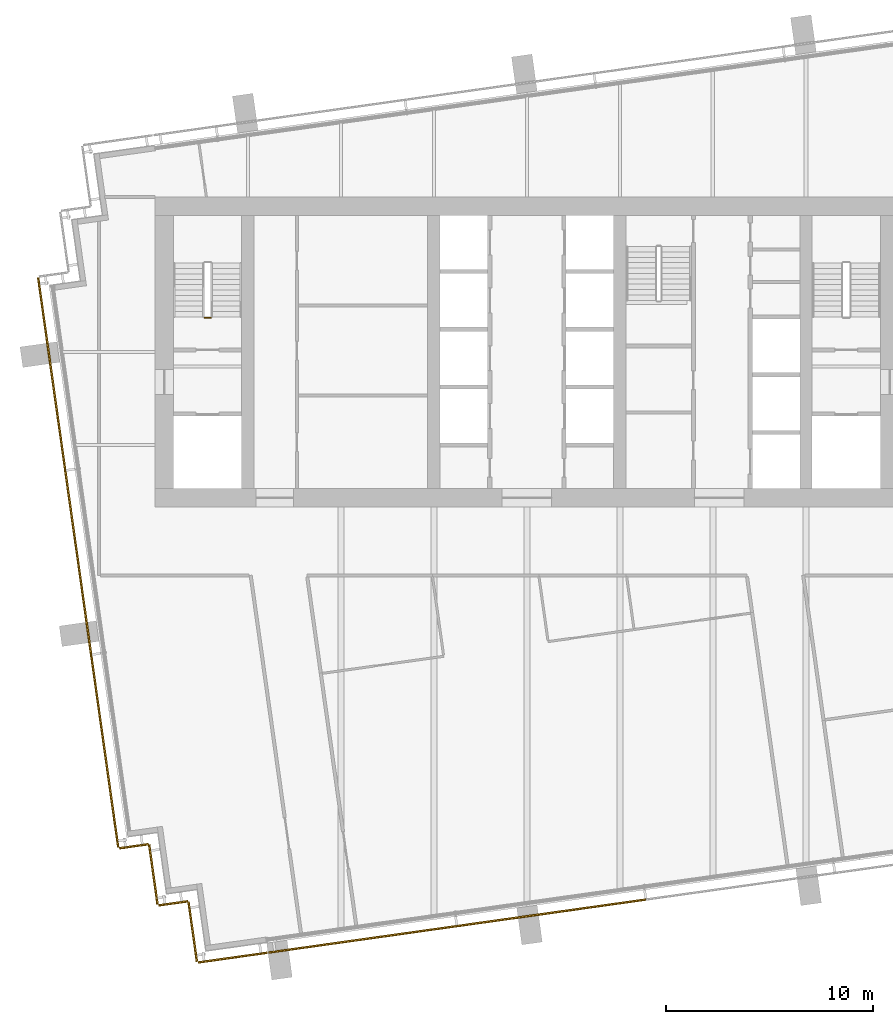
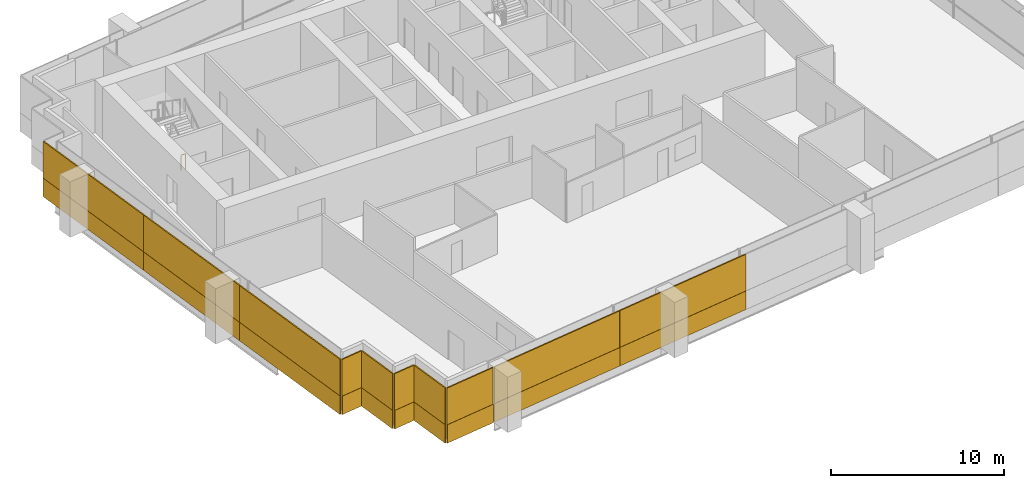
# One storey, part 13 of 17: 20 coverings, 1 railing.
"""IFC4 building model written with IfcOpenShell, lengths in metres."""

from ifc_helpers import new_model, si_unit, direction, frame, origin, origin_2d, place, context, subcontext, project, spatial, rectangle, extrude, material, layer, layer_set, type_object, element, save


model = new_model("IFC4")

# Units and contexts
model_context = context("Model", 3, precision=1e-05, world=origin(), true_north=direction((0.0, 1.0)))
body_context = subcontext(model_context, "Body", "Model", "MODEL_VIEW")
ifc_project = project(units=[si_unit("LENGTHUNIT", "METRE"), si_unit("AREAUNIT", "SQUARE_METRE"), si_unit("VOLUMEUNIT", "CUBIC_METRE"), si_unit("PLANEANGLEUNIT", "RADIAN"), si_unit("MASSUNIT", "GRAM", prefix="KILO")], contexts=[model_context])

# Site, building, storey
site_placement = place(None, origin())
site = spatial("IfcSite", under=ifc_project, at=site_placement, CompositionType="ELEMENT")
building_placement = place(site_placement, origin())
building = spatial("IfcBuilding", under=site, at=building_placement, Name="Rattan Terrace Tower", CompositionType="ELEMENT")
storey_placement = place(building_placement, frame((0.0, 0.0, 221.300048828125)))
storey = spatial("IfcBuildingStorey", under=building, at=storey_placement, Name="L50", CompositionType="ELEMENT", Elevation=221.300048828125)

# Railing
ifc_material_1 = material(Name="Powder-coated steel guard", Category="steel")
railing_type = type_object("IfcRailingType", Name="Core stair guard", PredefinedType="GUARDRAIL", material=ifc_material_1)
railing_placement = place(storey_placement, frame((-15.300048828125, 1.64990234375, 0.0)))
element("IfcRailing", 1, at=railing_placement, inside=storey, type_object=railing_type, Name="L50 S1 stair guard 4", PredefinedType="GUARDRAIL", context=body_context, shape_type="SweptSolid", body=[
    extrude(rectangle(XDim=0.048095703125, YDim=0.048095703125, at=origin_2d()), frame((0.0, 0.0, 1.076171875), z_axis=(-1.0, 0.0, 0.0), x_axis=(0.0, -1.0, 0.0)), (0.0, 0.0, 1.0), 0.300048828125),
    extrude(rectangle(XDim=0.0419921875, YDim=0.0419921875, at=origin_2d()), origin(), (0.0, 0.0, 1.0), 1.052001953125),
    extrude(rectangle(XDim=0.0419921875, YDim=0.0419921875, at=origin_2d()), frame((-0.300048828125, 0.0, 0.0)), (0.0, 0.0, 1.0), 1.052001953125),
])

# Coverings
ifc_material_2 = material(Name="Solid terracotta", Category="masonry")
ifc_layer_1 = layer(ifc_material_2, 0.090087890625)
ifc_layer_set_1 = layer_set([ifc_layer_1], Name="Facade Terracotta Band Panel HZ")
covering_type_1 = type_object("IfcCoveringType", Name="Facade Terracotta Band Panel HZ", PredefinedType="CLADDING", material=ifc_layer_set_1)
covering_1_placement = place(storey_placement, frame((-22.9892578125, -1.06298828125, -0.18994140625), z_axis=(0.0, 0.0, 1.0), x_axis=(0.139186165309, -0.990266232579, 0.0)))
element("IfcCovering", 2, at=covering_1_placement, inside=storey, type_object=covering_type_1, Name="OUTER SKIN panel L50-24A", PredefinedType="CLADDING", context=body_context, shape_type="SweptSolid", body=[
    extrude(rectangle(XDim=9.39990234375, YDim=0.090087890625, at=origin_2d()), origin(), (0.0, 0.0, 1.0), 1.300048828125),
])
covering_2_placement = place(storey_placement, frame((-21.70751953125, -10.183349609375, -0.18994140625), z_axis=(0.0, 0.0, 1.0), x_axis=(0.139186165309, -0.990266232579, 0.0)))
element("IfcCovering", 3, at=covering_2_placement, inside=storey, type_object=covering_type_1, Name="OUTER SKIN panel L50-25A", PredefinedType="CLADDING", context=body_context, shape_type="SweptSolid", body=[
    extrude(rectangle(XDim=8.97998046875, YDim=0.090087890625, at=origin_2d()), origin(), (0.0, 0.0, 1.0), 1.300048828125),
])
covering_3_placement = place(storey_placement, frame((-20.425537109375, -19.3037109375, -0.18994140625), z_axis=(0.0, 0.0, 1.0), x_axis=(0.139186165309, -0.990266232579, 0.0)))
element("IfcCovering", 4, at=covering_3_placement, inside=storey, type_object=covering_type_1, Name="OUTER SKIN panel L50-26A", PredefinedType="CLADDING", context=body_context, shape_type="SweptSolid", body=[
    extrude(rectangle(XDim=9.39990234375, YDim=0.090087890625, at=origin_2d()), origin(), (0.0, 0.0, 1.0), 1.300048828125),
])
covering_4_placement = place(storey_placement, frame((-19.00634765625, -23.90576171875, -0.18994140625), z_axis=(0.0, 0.0, 1.0), x_axis=(0.990240767803, 0.139367219175, 0.0)))
element("IfcCovering", 5, at=covering_4_placement, inside=storey, type_object=covering_type_1, Name="OUTER SKIN panel L50-27A", PredefinedType="CLADDING", context=body_context, shape_type="SweptSolid", body=[
    extrude(rectangle(XDim=1.419677734375, YDim=0.090087890625, at=origin_2d()), origin(), (0.0, 0.0, 1.0), 1.300048828125),
])
covering_5_placement = place(storey_placement, frame((-18.07177734375, -25.27392578125, -0.18994140625), z_axis=(0.0, 0.0, 1.0), x_axis=(0.139321220646, -0.990247240581, 0.0)))
element("IfcCovering", 6, at=covering_5_placement, inside=storey, type_object=covering_type_1, Name="OUTER SKIN panel L50-28A", PredefinedType="CLADDING", context=body_context, shape_type="SweptSolid", body=[
    extrude(rectangle(XDim=2.920166015625, YDim=0.090087890625, at=origin_2d()), origin(), (0.0, 0.0, 1.0), 1.300048828125),
])
covering_6_placement = place(storey_placement, frame((-17.103271484375, -26.667724609375, -0.18994140625), z_axis=(0.0, 0.0, 1.0), x_axis=(0.990240767803, 0.139367219175, 0.0)))
element("IfcCovering", 7, at=covering_6_placement, inside=storey, type_object=covering_type_1, Name="OUTER SKIN panel L50-29A", PredefinedType="CLADDING", context=body_context, shape_type="SweptSolid", body=[
    extrude(rectangle(XDim=1.419677734375, YDim=0.090087890625, at=origin_2d()), origin(), (0.0, 0.0, 1.0), 1.300048828125),
])
covering_7_placement = place(storey_placement, frame((-16.168701171875, -28.035888671875, -0.18994140625), z_axis=(0.0, 0.0, 1.0), x_axis=(0.139321220646, -0.990247240581, 0.0)))
element("IfcCovering", 8, at=covering_7_placement, inside=storey, type_object=covering_type_1, Name="OUTER SKIN panel L50-30A", PredefinedType="CLADDING", context=body_context, shape_type="SweptSolid", body=[
    extrude(rectangle(XDim=2.920166015625, YDim=0.090087890625, at=origin_2d()), origin(), (0.0, 0.0, 1.0), 1.300048828125),
])
covering_8_placement = place(storey_placement, frame((-14.234619140625, -29.294189453125, -0.18994140625), z_axis=(0.0, 0.0, 1.0), x_axis=(0.990293172258, 0.138994363123, 0.0)))
element("IfcCovering", 9, at=covering_8_placement, inside=storey, type_object=covering_type_1, Name="OUTER SKIN panel L50-31A", PredefinedType="CLADDING", context=body_context, shape_type="SweptSolid", body=[
    extrude(rectangle(XDim=3.3701171875, YDim=0.090087890625, at=origin_2d()), origin(), (0.0, 0.0, 1.0), 1.300048828125),
])
covering_9_placement = place(storey_placement, frame((-7.94091796875, -28.409912109375, -0.18994140625), z_axis=(0.0, 0.0, 1.0), x_axis=(0.990267457022, 0.139177453499, 0.0)))
element("IfcCovering", 10, at=covering_9_placement, inside=storey, type_object=covering_type_1, Name="OUTER SKIN panel L50-32A", PredefinedType="CLADDING", context=body_context, shape_type="SweptSolid", body=[
    extrude(rectangle(XDim=9.18115234375, YDim=0.090087890625, at=origin_2d()), origin(), (0.0, 0.0, 1.0), 1.300048828125),
])
covering_10_placement = place(storey_placement, frame((1.185546875, -27.12744140625, -0.18994140625), z_axis=(0.0, 0.0, 1.0), x_axis=(0.990267457022, 0.139177453499, 0.0)))
element("IfcCovering", 11, at=covering_10_placement, inside=storey, type_object=covering_type_1, Name="OUTER SKIN panel L50-33A", PredefinedType="CLADDING", context=body_context, shape_type="SweptSolid", body=[
    extrude(rectangle(XDim=9.2109375, YDim=0.090087890625, at=origin_2d()), origin(), (0.0, 0.0, 1.0), 1.300048828125),
])
ifc_material_3 = material(Name="Perforated terracotta", Category="masonry")
ifc_layer_2 = layer(ifc_material_3, 0.080078125)
ifc_layer_set_2 = layer_set([ifc_layer_2], Name="Facade Terracotta Screen Panel HZ")
covering_type_2 = type_object("IfcCoveringType", Name="Facade Terracotta Screen Panel HZ", PredefinedType="CLADDING", material=ifc_layer_set_2)
covering_11_placement = place(storey_placement, frame((-22.984375, -1.062255859375, 1.10986328125), z_axis=(0.0, 0.0, 1.0), x_axis=(0.139186165309, -0.990266232579, 0.0)))
element("IfcCovering", 12, at=covering_11_placement, inside=storey, type_object=covering_type_2, Name="OUTER SKIN panel L50-24B", PredefinedType="CLADDING", context=body_context, shape_type="SweptSolid", body=[
    extrude(rectangle(XDim=9.39990234375, YDim=0.080078125, at=origin_2d()), origin(), (0.0, 0.0, 1.0), 2.580078125),
])
covering_12_placement = place(storey_placement, frame((-21.702392578125, -10.1826171875, 1.10986328125), z_axis=(0.0, 0.0, 1.0), x_axis=(0.139186165309, -0.990266232579, 0.0)))
element("IfcCovering", 13, at=covering_12_placement, inside=storey, type_object=covering_type_2, Name="OUTER SKIN panel L50-25B", PredefinedType="CLADDING", context=body_context, shape_type="SweptSolid", body=[
    extrude(rectangle(XDim=8.97998046875, YDim=0.080078125, at=origin_2d()), origin(), (0.0, 0.0, 1.0), 2.580078125),
])
covering_13_placement = place(storey_placement, frame((-20.420654296875, -19.302978515625, 1.10986328125), z_axis=(0.0, 0.0, 1.0), x_axis=(0.139186165309, -0.990266232579, 0.0)))
element("IfcCovering", 14, at=covering_13_placement, inside=storey, type_object=covering_type_2, Name="OUTER SKIN panel L50-26B", PredefinedType="CLADDING", context=body_context, shape_type="SweptSolid", body=[
    extrude(rectangle(XDim=9.39990234375, YDim=0.080078125, at=origin_2d()), origin(), (0.0, 0.0, 1.0), 2.580078125),
])
covering_14_placement = place(storey_placement, frame((-19.007080078125, -23.900634765625, 1.10986328125), z_axis=(0.0, 0.0, 1.0), x_axis=(0.990240767803, 0.139367219175, 0.0)))
element("IfcCovering", 15, at=covering_14_placement, inside=storey, type_object=covering_type_2, Name="OUTER SKIN panel L50-27B", PredefinedType="CLADDING", context=body_context, shape_type="SweptSolid", body=[
    extrude(rectangle(XDim=1.419677734375, YDim=0.080078125, at=origin_2d()), origin(), (0.0, 0.0, 1.0), 2.580078125),
])
covering_15_placement = place(storey_placement, frame((-18.06689453125, -25.273193359375, 1.10986328125), z_axis=(0.0, 0.0, 1.0), x_axis=(0.139321220646, -0.990247240581, 0.0)))
element("IfcCovering", 16, at=covering_15_placement, inside=storey, type_object=covering_type_2, Name="OUTER SKIN panel L50-28B", PredefinedType="CLADDING", context=body_context, shape_type="SweptSolid", body=[
    extrude(rectangle(XDim=2.920166015625, YDim=0.080078125, at=origin_2d()), origin(), (0.0, 0.0, 1.0), 2.580078125),
])
covering_16_placement = place(storey_placement, frame((-17.10400390625, -26.662841796875, 1.10986328125), z_axis=(0.0, 0.0, 1.0), x_axis=(0.990240767803, 0.139367219175, 0.0)))
element("IfcCovering", 17, at=covering_16_placement, inside=storey, type_object=covering_type_2, Name="OUTER SKIN panel L50-29B", PredefinedType="CLADDING", context=body_context, shape_type="SweptSolid", body=[
    extrude(rectangle(XDim=1.419677734375, YDim=0.080078125, at=origin_2d()), origin(), (0.0, 0.0, 1.0), 2.580078125),
])
covering_17_placement = place(storey_placement, frame((-16.163818359375, -28.03515625, 1.10986328125), z_axis=(0.0, 0.0, 1.0), x_axis=(0.139321220646, -0.990247240581, 0.0)))
element("IfcCovering", 18, at=covering_17_placement, inside=storey, type_object=covering_type_2, Name="OUTER SKIN panel L50-30B", PredefinedType="CLADDING", context=body_context, shape_type="SweptSolid", body=[
    extrude(rectangle(XDim=2.920166015625, YDim=0.080078125, at=origin_2d()), origin(), (0.0, 0.0, 1.0), 2.580078125),
])
covering_18_placement = place(storey_placement, frame((-14.2353515625, -29.289306640625, 1.10986328125), z_axis=(0.0, 0.0, 1.0), x_axis=(0.990293172258, 0.138994363123, 0.0)))
element("IfcCovering", 19, at=covering_18_placement, inside=storey, type_object=covering_type_2, Name="OUTER SKIN panel L50-31B", PredefinedType="CLADDING", context=body_context, shape_type="SweptSolid", body=[
    extrude(rectangle(XDim=3.3701171875, YDim=0.080078125, at=origin_2d()), origin(), (0.0, 0.0, 1.0), 2.580078125),
])
covering_19_placement = place(storey_placement, frame((-7.941650390625, -28.405029296875, 1.10986328125), z_axis=(0.0, 0.0, 1.0), x_axis=(0.990267457022, 0.139177453499, 0.0)))
element("IfcCovering", 20, at=covering_19_placement, inside=storey, type_object=covering_type_2, Name="OUTER SKIN panel L50-32B", PredefinedType="CLADDING", context=body_context, shape_type="SweptSolid", body=[
    extrude(rectangle(XDim=9.18115234375, YDim=0.080078125, at=origin_2d()), origin(), (0.0, 0.0, 1.0), 2.580078125),
])
covering_20_placement = place(storey_placement, frame((1.184814453125, -27.122314453125, 1.10986328125), z_axis=(0.0, 0.0, 1.0), x_axis=(0.990267457022, 0.139177453499, 0.0)))
element("IfcCovering", 21, at=covering_20_placement, inside=storey, type_object=covering_type_2, Name="OUTER SKIN panel L50-33B", PredefinedType="CLADDING", context=body_context, shape_type="SweptSolid", body=[
    extrude(rectangle(XDim=9.2109375, YDim=0.080078125, at=origin_2d()), origin(), (0.0, 0.0, 1.0), 2.580078125),
])

save(model, "model.ifc")
